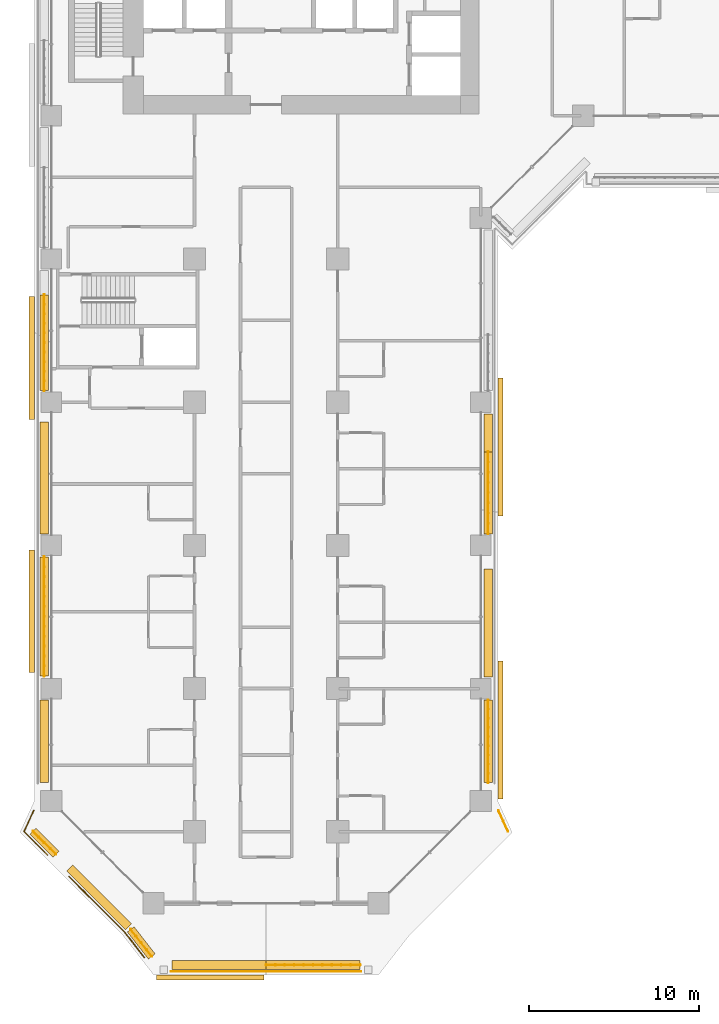
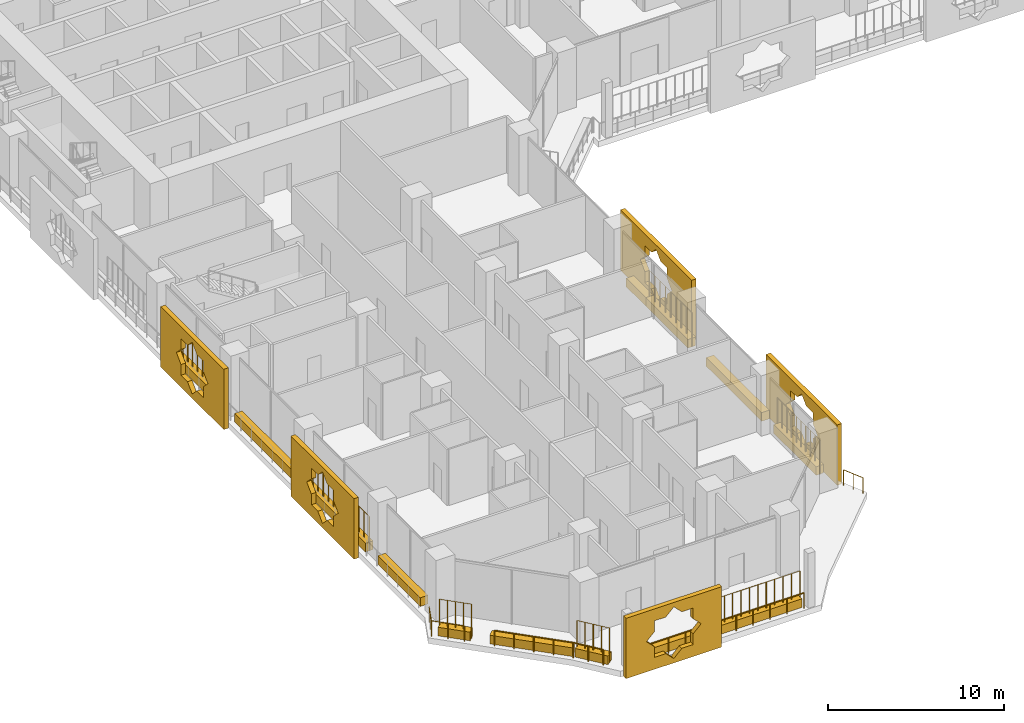
# One storey, part 22 of 29: 18 coverings, 11 railings.
"""IFC4 building model written with IfcOpenShell, lengths in metres."""

from ifc_helpers import new_model, si_unit, direction, frame, origin, origin_2d, place, context, subcontext, project, spatial, polyline, rectangle, circle, outline, extrude, material, material_profile, profile_set, type_object, element, save


model = new_model("IFC4")

# Units and contexts
model_context = context("Model", 3, precision=1e-05, world=origin(), true_north=direction((0.0, 1.0)))
body_context = subcontext(model_context, "Body", "Model", "MODEL_VIEW")
ifc_project = project(units=[si_unit("LENGTHUNIT", "METRE"), si_unit("AREAUNIT", "SQUARE_METRE"), si_unit("VOLUMEUNIT", "CUBIC_METRE"), si_unit("PLANEANGLEUNIT", "RADIAN"), si_unit("MASSUNIT", "GRAM", prefix="KILO")], contexts=[model_context])

# Site, building, storey
site_placement = place(None, origin())
site = spatial("IfcSite", under=ifc_project, at=site_placement, CompositionType="ELEMENT")
building_placement = place(site_placement, origin())
building = spatial("IfcBuilding", under=site, at=building_placement, Name="Kawkab Arch Medical Tower", CompositionType="ELEMENT")
storey_placement = place(building_placement, frame((0.0, 0.0, 60.199951171875)))
storey = spatial("IfcBuildingStorey", under=building, at=storey_placement, Name="L13", CompositionType="ELEMENT", Elevation=60.199951171875)

# Railings
ifc_material_1 = material(Name="Bronze anodised aluminium guard", Category="aluminium")
railing_type_1 = type_object("IfcRailingType", Name="Loggia and terrace guard 1100", PredefinedType="GUARDRAIL", material=ifc_material_1)
railing_1_placement = place(storey_placement, frame((18.169921875, -75.39990234375, 0.0)))
element("IfcRailing", 1, at=railing_1_placement, inside=storey, type_object=railing_type_1, Name="Guard L13.LOG-01.1.1", PredefinedType="GUARDRAIL", context=body_context, shape_type="SweptSolid", body=[
    extrude(circle(Radius=0.02392578125, at=origin_2d()), frame((0.0, 0.0, 1.076171875), z_axis=(-1.0, 0.0, 0.0), x_axis=(0.0, -1.0, 0.0)), (0.0, 0.0, 1.0), 11.139892578125),
    extrude(circle(Radius=0.02099609375, at=origin_2d()), origin(), (0.0, 0.0, 1.0), 1.052001953125),
    extrude(circle(Radius=0.02099609375, at=origin_2d()), frame((-1.114013671875, 0.0, 0.0)), (0.0, 0.0, 1.0), 1.052001953125),
    extrude(circle(Radius=0.02099609375, at=origin_2d()), frame((-2.22802734375, 0.0, 0.0)), (0.0, 0.0, 1.0), 1.052001953125),
    extrude(circle(Radius=0.02099609375, at=origin_2d()), frame((-3.342041015625, 0.0, 0.0)), (0.0, 0.0, 1.0), 1.052001953125),
    extrude(circle(Radius=0.02099609375, at=origin_2d()), frame((-4.4560546875, 0.0, 0.0)), (0.0, 0.0, 1.0), 1.052001953125),
    extrude(circle(Radius=0.02099609375, at=origin_2d()), frame((-5.56982421875, 0.0, 0.0)), (0.0, 0.0, 1.0), 1.052001953125),
    extrude(circle(Radius=0.02099609375, at=origin_2d()), frame((-6.683837890625, 0.0, 0.0)), (0.0, 0.0, 1.0), 1.052001953125),
    extrude(circle(Radius=0.02099609375, at=origin_2d()), frame((-7.7978515625, 0.0, 0.0)), (0.0, 0.0, 1.0), 1.052001953125),
    extrude(circle(Radius=0.02099609375, at=origin_2d()), frame((-8.911865234375, 0.0, 0.0)), (0.0, 0.0, 1.0), 1.052001953125),
    extrude(circle(Radius=0.02099609375, at=origin_2d()), frame((-10.02587890625, 0.0, 0.0)), (0.0, 0.0, 1.0), 1.052001953125),
    extrude(circle(Radius=0.02099609375, at=origin_2d()), frame((-11.139892578125, 0.0, 0.0)), (0.0, 0.0, 1.0), 1.052001953125),
])
railing_2_placement = place(storey_placement, frame((5.451904296875, -74.570068359375, 0.0)))
element("IfcRailing", 2, at=railing_2_placement, inside=storey, type_object=railing_type_1, Name="Guard L13.LOG-01.1.2", PredefinedType="GUARDRAIL", context=body_context, shape_type="SweptSolid", body=[
    extrude(circle(Radius=0.02392578125, at=origin_2d()), frame((0.0, 0.0, 1.076171875), z_axis=(-0.614068078989, 0.789253061044, 0.0), x_axis=(-0.789253061044, -0.614068078989, 0.0)), (0.0, 0.0, 1.0), 1.856201171875),
    extrude(circle(Radius=0.02392578125, at=origin_2d()), frame((-1.139892578125, 1.465087890625, 1.076171875), z_axis=(-0.707106781187, 0.707106781187, 0.0), x_axis=(-0.707106781187, -0.707106781187, 0.0)), (0.0, 0.0, 1.0), 4.641357421875),
    extrude(circle(Radius=0.02099609375, at=origin_2d()), origin(), (0.0, 0.0, 1.0), 1.052001953125),
    extrude(circle(Radius=0.02099609375, at=origin_2d()), frame((-0.56982421875, 0.732421875, 0.0)), (0.0, 0.0, 1.0), 1.052001953125),
    extrude(circle(Radius=0.02099609375, at=origin_2d()), frame((-1.139892578125, 1.465087890625, 0.0)), (0.0, 0.0, 1.0), 1.052001953125),
    extrude(circle(Radius=0.02099609375, at=origin_2d()), frame((-1.96044921875, 2.28564453125, 0.0)), (0.0, 0.0, 1.0), 1.052001953125),
    extrude(circle(Radius=0.02099609375, at=origin_2d()), frame((-2.78076171875, 3.10595703125, 0.0)), (0.0, 0.0, 1.0), 1.052001953125),
    extrude(circle(Radius=0.02099609375, at=origin_2d()), frame((-3.601318359375, 3.926513671875, 0.0)), (0.0, 0.0, 1.0), 1.052001953125),
    extrude(circle(Radius=0.02099609375, at=origin_2d()), frame((-4.421875, 4.7470703125, 0.0)), (0.0, 0.0, 1.0), 1.052001953125),
])
railing_3_placement = place(storey_placement, frame((-0.222900390625, -68.570068359375, 0.0)))
element("IfcRailing", 3, at=railing_3_placement, inside=storey, type_object=railing_type_1, Name="Guard L13.LOG-01.1.3", PredefinedType="GUARDRAIL", context=body_context, shape_type="SweptSolid", body=[
    extrude(circle(Radius=0.02392578125, at=origin_2d()), frame((0.0, 0.0, 1.076171875), z_axis=(-0.707106781187, 0.707106781187, 0.0), x_axis=(-0.707106781187, -0.707106781187, 0.0)), (0.0, 0.0, 1.0), 1.944580078125),
    extrude(circle(Radius=0.02392578125, at=origin_2d()), frame((-1.375, 1.375, 1.076171875), z_axis=(0.414420337807, 0.910085591366, 0.0), x_axis=(-0.910085591366, 0.414420337807, 0.0)), (0.0, 0.0, 1.0), 1.370361328125),
    extrude(circle(Radius=0.02099609375, at=origin_2d()), origin(), (0.0, 0.0, 1.0), 1.052001953125),
    extrude(circle(Radius=0.02099609375, at=origin_2d()), frame((-0.6875, 0.6875, 0.0)), (0.0, 0.0, 1.0), 1.052001953125),
    extrude(circle(Radius=0.02099609375, at=origin_2d()), frame((-1.375, 1.375, 0.0)), (0.0, 0.0, 1.0), 1.052001953125),
    extrude(circle(Radius=0.02099609375, at=origin_2d()), frame((-1.091064453125, 1.99853515625, 0.0)), (0.0, 0.0, 1.0), 1.052001953125),
    extrude(circle(Radius=0.02099609375, at=origin_2d()), frame((-0.80712890625, 2.6220703125, 0.0)), (0.0, 0.0, 1.0), 1.052001953125),
])
railing_4_placement = place(storey_placement, frame((26.22998046875, -65.947998046875, 0.0)))
element("IfcRailing", 4, at=railing_4_placement, inside=storey, type_object=railing_type_1, Name="Guard L13.LOG-01.1.5", PredefinedType="GUARDRAIL", context=body_context, shape_type="SweptSolid", body=[
    extrude(circle(Radius=0.02392578125, at=origin_2d()), frame((0.0, 0.0, 1.076171875), z_axis=(0.414567890698, -0.910018386629, 0.0), x_axis=(0.910018386629, 0.414567890698, 0.0)), (0.0, 0.0, 1.0), 1.370361328125),
    extrude(circle(Radius=0.02099609375, at=origin_2d()), origin(), (0.0, 0.0, 1.0), 1.052001953125),
    extrude(circle(Radius=0.02099609375, at=origin_2d()), frame((0.2841796875, -0.62353515625, 0.0)), (0.0, 0.0, 1.0), 1.052001953125),
    extrude(circle(Radius=0.02099609375, at=origin_2d()), frame((0.568115234375, -1.2470703125, 0.0)), (0.0, 0.0, 1.0), 1.052001953125),
])

# Coverings
ifc_material_2 = material(Name="Bronze anodised aluminium mashrabiya panel, eight-point star pattern", Category="aluminium")
ifc_material_profile_1 = material_profile(ifc_material_2, outline(polyline([(-3.14990234375, -2.10009765625), (3.14990234375, -2.10009765625), (3.14990234375, 2.10009765625), (-3.14990234375, 2.10009765625), (-3.14990234375, -2.10009765625)]), holes=[polyline([(1.800048828125, 0.0), (1.272705078125, 0.527099609375), (1.272705078125, 1.272705078125), (0.527099609375, 1.272705078125), (0.0, 1.800048828125), (-0.527099609375, 1.272705078125), (-1.272705078125, 1.272705078125), (-1.272705078125, 0.527099609375), (-1.800048828125, 0.0), (-1.272705078125, -0.527099609375), (-1.272705078125, -1.272705078125), (-0.527099609375, -1.272705078125), (0.0, -1.800048828125), (0.527099609375, -1.272705078125), (1.272705078125, -1.272705078125), (1.272705078125, -0.527099609375), (1.800048828125, 0.0)])]), Name="Mashrabiya panel 6300x4200")
ifc_profile_set_1 = profile_set([ifc_material_profile_1], Name="Bronze anodised aluminium mashrabiya panel, eight-point star pattern")
covering_type_1 = type_object("IfcCoveringType", Name="Mashrabiya panel 6300 x 4200", PredefinedType="USERDEFINED", material=ifc_profile_set_1)
covering_1_placement = place(storey_placement, frame((9.322509765625, -75.60009765625, 1.699951171875), z_axis=(0.0, -1.0, 0.0), x_axis=(1.0, 0.0, 0.0)))
element("IfcCovering", 5, at=covering_1_placement, inside=storey, type_object=covering_type_1, Name="Mashrabiya panel L13.LOG-01-01.1", ObjectType="SCREEN", PredefinedType="USERDEFINED", context=body_context, shape_type="SweptSolid", body=[
    extrude(outline(polyline([(-3.14990234375, -2.10009765625), (3.14990234375, -2.10009765625), (3.14990234375, 2.10009765625), (-3.14990234375, 2.10009765625), (-3.14990234375, -2.10009765625)]), holes=[polyline([(1.800048828125, 0.0), (1.272705078125, 0.527099609375), (1.272705078125, 1.272705078125), (0.527099609375, 1.272705078125), (0.0, 1.800048828125), (-0.527099609375, 1.272705078125), (-1.272705078125, 1.272705078125), (-1.272705078125, 0.527099609375), (-1.800048828125, 0.0), (-1.272705078125, -0.527099609375), (-1.272705078125, -1.272705078125), (-0.527099609375, -1.272705078125), (0.0, -1.800048828125), (0.527099609375, -1.272705078125), (1.272705078125, -1.272705078125), (1.272705078125, -0.527099609375), (1.800048828125, 0.0)])]), origin(), (0.0, 0.0, 1.0), 0.2998046875),
])
ifc_material_3 = material(Name="Bronze anodised aluminium mashrabiya panel, eight-point star pattern", Category="aluminium")
ifc_material_profile_2 = material_profile(ifc_material_3, outline(polyline([(-3.60009765625, -2.10009765625), (3.60009765625, -2.10009765625), (3.60009765625, 2.10009765625), (-3.60009765625, 2.10009765625), (-3.60009765625, -2.10009765625)]), holes=[polyline([(1.800048828125, 0.0), (1.272705078125, 0.527099609375), (1.272705078125, 1.272705078125), (0.527099609375, 1.272705078125), (0.0, 1.800048828125), (-0.527099609375, 1.272705078125), (-1.272705078125, 1.272705078125), (-1.272705078125, 0.527099609375), (-1.800048828125, 0.0), (-1.272705078125, -0.527099609375), (-1.272705078125, -1.272705078125), (-0.527099609375, -1.272705078125), (0.0, -1.800048828125), (0.527099609375, -1.272705078125), (1.272705078125, -1.272705078125), (1.272705078125, -0.527099609375), (1.800048828125, 0.0)])]), Name="Mashrabiya panel 7200x4200")
ifc_profile_set_2 = profile_set([ifc_material_profile_2], Name="Bronze anodised aluminium mashrabiya panel, eight-point star pattern")
covering_type_2 = type_object("IfcCoveringType", Name="Mashrabiya panel 7200 x 4200", PredefinedType="USERDEFINED", material=ifc_profile_set_2)
for number, where, z_axis, x_axis, name in (
    (6, (-1.0, -54.263916015625, 1.699951171875), (-1.0, 0.0, 0.0), (0.0, -1.0, 0.0), "Mashrabiya panel L13.LOG-01-01.2"),
    (7, (-1.0, -39.412841796875, 1.699951171875), (-1.0, 0.0, 0.0), (0.0, -1.0, 0.0), "Mashrabiya panel L13.LOG-01-01.3"),
):
    element("IfcCovering", number, at=place(storey_placement, frame(where, z_axis=z_axis, x_axis=x_axis)), inside=storey, type_object=covering_type_2, Name=name, ObjectType="SCREEN", PredefinedType="USERDEFINED", context=body_context, shape_type="SweptSolid", body=[
        extrude(outline(polyline([(-3.60009765625, -2.10009765625), (3.60009765625, -2.10009765625), (3.60009765625, 2.10009765625), (-3.60009765625, 2.10009765625), (-3.60009765625, -2.10009765625)]), holes=[polyline([(1.800048828125, 0.0), (1.272705078125, 0.527099609375), (1.272705078125, 1.272705078125), (0.527099609375, 1.272705078125), (0.0, 1.800048828125), (-0.527099609375, 1.272705078125), (-1.272705078125, 1.272705078125), (-1.272705078125, 0.527099609375), (-1.800048828125, 0.0), (-1.272705078125, -0.527099609375), (-1.272705078125, -1.272705078125), (-0.527099609375, -1.272705078125), (0.0, -1.800048828125), (0.527099609375, -1.272705078125), (1.272705078125, -1.272705078125), (1.272705078125, -0.527099609375), (1.800048828125, 0.0)])]), origin(), (0.0, 0.0, 1.0), 0.300048828125),
    ])
ifc_material_4 = material(Name="Bronze anodised aluminium mashrabiya panel, eight-point star pattern", Category="aluminium")
ifc_material_profile_3 = material_profile(ifc_material_4, outline(polyline([(-4.050048828125, -2.10009765625), (4.050048828125, -2.10009765625), (4.050048828125, 2.10009765625), (-4.050048828125, 2.10009765625), (-4.050048828125, -2.10009765625)]), holes=[polyline([(1.800048828125, 0.0), (1.272705078125, 0.527099609375), (1.272705078125, 1.272705078125), (0.527099609375, 1.272705078125), (0.0, 1.800048828125), (-0.527099609375, 1.272705078125), (-1.272705078125, 1.272705078125), (-1.272705078125, 0.527099609375), (-1.800048828125, 0.0), (-1.272705078125, -0.527099609375), (-1.272705078125, -1.272705078125), (-0.527099609375, -1.272705078125), (0.0, -1.800048828125), (0.527099609375, -1.272705078125), (1.272705078125, -1.272705078125), (1.272705078125, -0.527099609375), (1.800048828125, 0.0)])]), Name="Mashrabiya panel 8100x4200")
ifc_profile_set_3 = profile_set([ifc_material_profile_3], Name="Bronze anodised aluminium mashrabiya panel, eight-point star pattern")
covering_type_3 = type_object("IfcCoveringType", Name="Mashrabiya panel 8100 x 4200", PredefinedType="USERDEFINED", material=ifc_profile_set_3)
for number, where, z_axis, x_axis, name in (
    (8, (26.199951171875, -44.639892578125, 1.699951171875), (1.0, 0.0, 0.0), (0.0, 1.0, 0.0), "Mashrabiya panel L13.LOG-01-01.14"),
    (9, (26.199951171875, -61.229736328125, 1.699951171875), (1.0, 0.0, 0.0), (0.0, 1.0, 0.0), "Mashrabiya panel L13.LOG-01-01.15"),
):
    element("IfcCovering", number, at=place(storey_placement, frame(where, z_axis=z_axis, x_axis=x_axis)), inside=storey, type_object=covering_type_3, Name=name, ObjectType="SCREEN", PredefinedType="USERDEFINED", context=body_context, shape_type="SweptSolid", body=[
        extrude(outline(polyline([(-4.050048828125, -2.10009765625), (4.050048828125, -2.10009765625), (4.050048828125, 2.10009765625), (-4.050048828125, 2.10009765625), (-4.050048828125, -2.10009765625)]), holes=[polyline([(1.800048828125, 0.0), (1.272705078125, 0.527099609375), (1.272705078125, 1.272705078125), (0.527099609375, 1.272705078125), (0.0, 1.800048828125), (-0.527099609375, 1.272705078125), (-1.272705078125, 1.272705078125), (-1.272705078125, 0.527099609375), (-1.800048828125, 0.0), (-1.272705078125, -0.527099609375), (-1.272705078125, -1.272705078125), (-0.527099609375, -1.272705078125), (0.0, -1.800048828125), (0.527099609375, -1.272705078125), (1.272705078125, -1.272705078125), (1.272705078125, -0.527099609375), (1.800048828125, 0.0)])]), origin(), (0.0, 0.0, 1.0), 0.300048828125),
    ])
ifc_material_5 = material(Name="Planting soil in a precast trough", Category="concrete")
ifc_material_profile_4 = material_profile(ifc_material_5, rectangle(XDim=0.5, YDim=0.60009765625, at=origin_2d()), Name="Trough 500x600")
ifc_profile_set_4 = profile_set([ifc_material_profile_4], Name="Planting soil in a precast trough")
covering_type_4 = type_object("IfcCoveringType", Name="Planter trough 500 x 600", PredefinedType="USERDEFINED", material=ifc_profile_set_4)
for number, where, z_axis, x_axis, name in (
    (10, (18.1201171875, -75.02001953125, 0.300048828125), (-1.0, 0.0, 0.0), (0.0, -1.0, 0.0), "Planter L13.LOG-01-01.1"),
    (11, (12.60009765625, -75.02001953125, 0.300048828125), (-1.0, 0.0, 0.0), (0.0, -1.0, 0.0), "Planter L13.LOG-01-01.2"),
):
    element("IfcCovering", number, at=place(storey_placement, frame(where, z_axis=z_axis, x_axis=x_axis)), inside=storey, type_object=covering_type_4, Name=name, ObjectType="PLANTER", PredefinedType="USERDEFINED", context=body_context, shape_type="SweptSolid", body=[
        extrude(rectangle(XDim=0.5, YDim=0.60009765625, at=origin_2d()), origin(), (0.0, 0.0, 1.0), 5.52001953125),
    ])
covering_2_placement = place(storey_placement, frame((5.89501953125, -74.52001953125, 0.300048828125), z_axis=(-0.61420933359, 0.789143139444, 0.0), x_axis=(-0.789143139444, -0.61420933359, 0.0)))
element("IfcCovering", 12, at=covering_2_placement, inside=storey, type_object=covering_type_4, Name="Planter L13.LOG-01-01.3", ObjectType="PLANTER", PredefinedType="USERDEFINED", context=body_context, shape_type="SweptSolid", body=[
    extrude(rectangle(XDim=0.5, YDim=0.60009765625, at=origin_2d()), origin(), (0.0, 0.0, 1.0), 2.012451171875),
])
covering_3_placement = place(storey_placement, frame((4.527099609375, -72.782958984375, 0.300048828125), z_axis=(-0.707106781187, 0.707106781187, 0.0), x_axis=(-0.707106781187, -0.707106781187, 0.0)))
element("IfcCovering", 13, at=covering_3_placement, inside=storey, type_object=covering_type_4, Name="Planter L13.LOG-01-01.4", ObjectType="PLANTER", PredefinedType="USERDEFINED", context=body_context, shape_type="SweptSolid", body=[
    extrude(rectangle(XDim=0.5, YDim=0.60009765625, at=origin_2d()), origin(), (0.0, 0.0, 1.0), 4.874755859375),
])
covering_4_placement = place(storey_placement, frame((0.263916015625, -68.52001953125, 0.300048828125), z_axis=(-0.707106781187, 0.707106781187, 0.0), x_axis=(-0.707106781187, -0.707106781187, 0.0)))
element("IfcCovering", 14, at=covering_4_placement, inside=storey, type_object=covering_type_4, Name="Planter L13.LOG-01-01.5", ObjectType="PLANTER", PredefinedType="USERDEFINED", context=body_context, shape_type="SweptSolid", body=[
    extrude(rectangle(XDim=0.5, YDim=0.60009765625, at=origin_2d()), origin(), (0.0, 0.0, 1.0), 1.890625),
])
covering_5_placement = place(storey_placement, frame((-0.419921875, -64.320068359375, 0.300048828125), z_axis=(0.0, 1.0, 0.0), x_axis=(-1.0, 0.0, 0.0)))
element("IfcCovering", 15, at=covering_5_placement, inside=storey, type_object=covering_type_4, Name="Planter L13.LOG-01-01.6", ObjectType="PLANTER", PredefinedType="USERDEFINED", context=body_context, shape_type="SweptSolid", body=[
    extrude(rectangle(XDim=0.5, YDim=0.60009765625, at=origin_2d()), origin(), (0.0, 0.0, 1.0), 4.840087890625),
])
covering_6_placement = place(storey_placement, frame((-0.419921875, -58.069091796875, 0.300048828125), z_axis=(0.0, 1.0, 0.0), x_axis=(-1.0, 0.0, 0.0)))
element("IfcCovering", 16, at=covering_6_placement, inside=storey, type_object=covering_type_4, Name="Planter L13.LOG-01-01.7", ObjectType="PLANTER", PredefinedType="USERDEFINED", context=body_context, shape_type="SweptSolid", body=[
    extrude(rectangle(XDim=0.5, YDim=0.60009765625, at=origin_2d()), origin(), (0.0, 0.0, 1.0), 6.989013671875),
])
covering_7_placement = place(storey_placement, frame((-0.419921875, -49.719970703125, 0.300048828125), z_axis=(0.0, 1.0, 0.0), x_axis=(-1.0, 0.0, 0.0)))
element("IfcCovering", 17, at=covering_7_placement, inside=storey, type_object=covering_type_4, Name="Planter L13.LOG-01-01.8", ObjectType="PLANTER", PredefinedType="USERDEFINED", context=body_context, shape_type="SweptSolid", body=[
    extrude(rectangle(XDim=0.5, YDim=0.60009765625, at=origin_2d()), origin(), (0.0, 0.0, 1.0), 6.56396484375),
])
covering_8_placement = place(storey_placement, frame((-0.419921875, -41.320068359375, 0.300048828125), z_axis=(0.0, 1.0, 0.0), x_axis=(-1.0, 0.0, 0.0)))
element("IfcCovering", 18, at=covering_8_placement, inside=storey, type_object=covering_type_4, Name="Planter L13.LOG-01-01.9", ObjectType="PLANTER", PredefinedType="USERDEFINED", context=body_context, shape_type="SweptSolid", body=[
    extrude(rectangle(XDim=0.5, YDim=0.60009765625, at=origin_2d()), origin(), (0.0, 0.0, 1.0), 5.6201171875),
])
covering_9_placement = place(storey_placement, frame((25.6201171875, -42.679931640625, 0.300048828125), z_axis=(0.0, -1.0, 0.0), x_axis=(1.0, 0.0, 0.0)))
element("IfcCovering", 19, at=covering_9_placement, inside=storey, type_object=covering_type_4, Name="Planter L13.LOG-01-01.46", ObjectType="PLANTER", PredefinedType="USERDEFINED", context=body_context, shape_type="SweptSolid", body=[
    extrude(rectangle(XDim=0.5, YDim=0.60009765625, at=origin_2d()), origin(), (0.0, 0.0, 1.0), 2.240966796875),
])
covering_10_placement = place(storey_placement, frame((25.6201171875, -44.9208984375, 0.300048828125), z_axis=(0.0, -1.0, 0.0), x_axis=(1.0, 0.0, 0.0)))
element("IfcCovering", 20, at=covering_10_placement, inside=storey, type_object=covering_type_4, Name="Planter L13.LOG-01-01.47", ObjectType="PLANTER", PredefinedType="USERDEFINED", context=body_context, shape_type="SweptSolid", body=[
    extrude(rectangle(XDim=0.5, YDim=0.60009765625, at=origin_2d()), origin(), (0.0, 0.0, 1.0), 4.799072265625),
])
covering_11_placement = place(storey_placement, frame((25.6201171875, -51.7890625, 0.300048828125), z_axis=(0.0, -1.0, 0.0), x_axis=(1.0, 0.0, 0.0)))
element("IfcCovering", 21, at=covering_11_placement, inside=storey, type_object=covering_type_4, Name="Planter L13.LOG-01-01.48", ObjectType="PLANTER", PredefinedType="USERDEFINED", context=body_context, shape_type="SweptSolid", body=[
    extrude(rectangle(XDim=0.5, YDim=0.60009765625, at=origin_2d()), origin(), (0.0, 0.0, 1.0), 6.3310546875),
])
covering_12_placement = place(storey_placement, frame((25.6201171875, -59.47998046875, 0.300048828125), z_axis=(0.0, -1.0, 0.0), x_axis=(1.0, 0.0, 0.0)))
element("IfcCovering", 22, at=covering_12_placement, inside=storey, type_object=covering_type_4, Name="Planter L13.LOG-01-01.49", ObjectType="PLANTER", PredefinedType="USERDEFINED", context=body_context, shape_type="SweptSolid", body=[
    extrude(rectangle(XDim=0.5, YDim=0.60009765625, at=origin_2d()), origin(), (0.0, 0.0, 1.0), 4.840087890625),
])

# Railings
ifc_material_6 = material(Name="Bronze anodised aluminium trellis for climbing plants", Category="aluminium")
railing_type_2 = type_object("IfcRailingType", Name="Planting trellis 2400", PredefinedType="USERDEFINED", material=ifc_material_6)
railing_5_placement = place(storey_placement, frame((18.1201171875, -75.02001953125, 0.0)))
element("IfcRailing", 23, at=railing_5_placement, inside=storey, type_object=railing_type_2, Name="Planting trellis L13.LOG-01-01.1", ObjectType="TRELLIS", PredefinedType="USERDEFINED", context=body_context, shape_type="SweptSolid", body=[
    extrude(circle(Radius=0.01513671875, at=origin_2d()), frame((0.0, 0.0, 2.384765625), z_axis=(-1.0, 0.0, 0.0), x_axis=(0.0, -1.0, 0.0)), (0.0, 0.0, 1.0), 5.52001953125),
    extrude(circle(Radius=0.030029296875, at=origin_2d()), origin(), (0.0, 0.0, 1.0), 2.369873046875),
    extrude(circle(Radius=0.030029296875, at=origin_2d()), frame((-0.552001953125, 0.0, 0.0)), (0.0, 0.0, 1.0), 2.369873046875),
    extrude(circle(Radius=0.030029296875, at=origin_2d()), frame((-1.10400390625, 0.0, 0.0)), (0.0, 0.0, 1.0), 2.369873046875),
    extrude(circle(Radius=0.030029296875, at=origin_2d()), frame((-1.656005859375, 0.0, 0.0)), (0.0, 0.0, 1.0), 2.369873046875),
    extrude(circle(Radius=0.030029296875, at=origin_2d()), frame((-2.2080078125, 0.0, 0.0)), (0.0, 0.0, 1.0), 2.369873046875),
    extrude(circle(Radius=0.030029296875, at=origin_2d()), frame((-2.760009765625, 0.0, 0.0)), (0.0, 0.0, 1.0), 2.369873046875),
    extrude(circle(Radius=0.030029296875, at=origin_2d()), frame((-3.31201171875, 0.0, 0.0)), (0.0, 0.0, 1.0), 2.369873046875),
    extrude(circle(Radius=0.030029296875, at=origin_2d()), frame((-3.864013671875, 0.0, 0.0)), (0.0, 0.0, 1.0), 2.369873046875),
    extrude(circle(Radius=0.030029296875, at=origin_2d()), frame((-4.416015625, 0.0, 0.0)), (0.0, 0.0, 1.0), 2.369873046875),
    extrude(circle(Radius=0.030029296875, at=origin_2d()), frame((-4.968017578125, 0.0, 0.0)), (0.0, 0.0, 1.0), 2.369873046875),
    extrude(circle(Radius=0.030029296875, at=origin_2d()), frame((-5.52001953125, 0.0, 0.0)), (0.0, 0.0, 1.0), 2.369873046875),
])
railing_6_placement = place(storey_placement, frame((5.89501953125, -74.52001953125, 0.0)))
element("IfcRailing", 24, at=railing_6_placement, inside=storey, type_object=railing_type_2, Name="Planting trellis L13.LOG-01-01.3", ObjectType="TRELLIS", PredefinedType="USERDEFINED", context=body_context, shape_type="SweptSolid", body=[
    extrude(circle(Radius=0.01513671875, at=origin_2d()), frame((0.0, 0.0, 2.384765625), z_axis=(-0.61420933359, 0.789143139444, 0.0), x_axis=(-0.789143139444, -0.61420933359, 0.0)), (0.0, 0.0, 1.0), 2.012451171875),
    extrude(circle(Radius=0.030029296875, at=origin_2d()), origin(), (0.0, 0.0, 1.0), 2.369873046875),
    extrude(circle(Radius=0.030029296875, at=origin_2d()), frame((-0.30908203125, 0.39697265625, 0.0)), (0.0, 0.0, 1.0), 2.369873046875),
    extrude(circle(Radius=0.030029296875, at=origin_2d()), frame((-0.6181640625, 0.7939453125, 0.0)), (0.0, 0.0, 1.0), 2.369873046875),
    extrude(circle(Radius=0.030029296875, at=origin_2d()), frame((-0.927001953125, 1.191162109375, 0.0)), (0.0, 0.0, 1.0), 2.369873046875),
    extrude(circle(Radius=0.030029296875, at=origin_2d()), frame((-1.236083984375, 1.588134765625, 0.0)), (0.0, 0.0, 1.0), 2.369873046875),
])
railing_7_placement = place(storey_placement, frame((0.263916015625, -68.52001953125, 0.0)))
element("IfcRailing", 25, at=railing_7_placement, inside=storey, type_object=railing_type_2, Name="Planting trellis L13.LOG-01-01.5", ObjectType="TRELLIS", PredefinedType="USERDEFINED", context=body_context, shape_type="SweptSolid", body=[
    extrude(circle(Radius=0.01513671875, at=origin_2d()), frame((0.0, 0.0, 2.384765625), z_axis=(-0.707106781187, 0.707106781187, 0.0), x_axis=(-0.707106781187, -0.707106781187, 0.0)), (0.0, 0.0, 1.0), 1.890625),
    extrude(circle(Radius=0.030029296875, at=origin_2d()), origin(), (0.0, 0.0, 1.0), 2.369873046875),
    extrude(circle(Radius=0.030029296875, at=origin_2d()), frame((-0.334228515625, 0.334228515625, 0.0)), (0.0, 0.0, 1.0), 2.369873046875),
    extrude(circle(Radius=0.030029296875, at=origin_2d()), frame((-0.66845703125, 0.66845703125, 0.0)), (0.0, 0.0, 1.0), 2.369873046875),
    extrude(circle(Radius=0.030029296875, at=origin_2d()), frame((-1.002685546875, 1.002685546875, 0.0)), (0.0, 0.0, 1.0), 2.369873046875),
    extrude(circle(Radius=0.030029296875, at=origin_2d()), frame((-1.3369140625, 1.3369140625, 0.0)), (0.0, 0.0, 1.0), 2.369873046875),
])
railing_8_placement = place(storey_placement, frame((-0.419921875, -58.069091796875, 0.0)))
element("IfcRailing", 26, at=railing_8_placement, inside=storey, type_object=railing_type_2, Name="Planting trellis L13.LOG-01-01.7", ObjectType="TRELLIS", PredefinedType="USERDEFINED", context=body_context, shape_type="SweptSolid", body=[
    extrude(circle(Radius=0.01513671875, at=origin_2d()), frame((0.0, 0.0, 2.384765625), z_axis=(0.0, 1.0, 0.0), x_axis=(-1.0, 0.0, 0.0)), (0.0, 0.0, 1.0), 6.989013671875),
    extrude(circle(Radius=0.030029296875, at=origin_2d()), origin(), (0.0, 0.0, 1.0), 2.369873046875),
    extrude(circle(Radius=0.030029296875, at=origin_2d()), frame((0.0, 0.58251953125, 0.0)), (0.0, 0.0, 1.0), 2.369873046875),
    extrude(circle(Radius=0.030029296875, at=origin_2d()), frame((0.0, 1.164794921875, 0.0)), (0.0, 0.0, 1.0), 2.369873046875),
    extrude(circle(Radius=0.030029296875, at=origin_2d()), frame((0.0, 1.747314453125, 0.0)), (0.0, 0.0, 1.0), 2.369873046875),
    extrude(circle(Radius=0.030029296875, at=origin_2d()), frame((0.0, 2.32958984375, 0.0)), (0.0, 0.0, 1.0), 2.369873046875),
    extrude(circle(Radius=0.030029296875, at=origin_2d()), frame((0.0, 2.912109375, 0.0)), (0.0, 0.0, 1.0), 2.369873046875),
    extrude(circle(Radius=0.030029296875, at=origin_2d()), frame((0.0, 3.49462890625, 0.0)), (0.0, 0.0, 1.0), 2.369873046875),
    extrude(circle(Radius=0.030029296875, at=origin_2d()), frame((0.0, 4.076904296875, 0.0)), (0.0, 0.0, 1.0), 2.369873046875),
    extrude(circle(Radius=0.030029296875, at=origin_2d()), frame((0.0, 4.659423828125, 0.0)), (0.0, 0.0, 1.0), 2.369873046875),
    extrude(circle(Radius=0.030029296875, at=origin_2d()), frame((0.0, 5.24169921875, 0.0)), (0.0, 0.0, 1.0), 2.369873046875),
    extrude(circle(Radius=0.030029296875, at=origin_2d()), frame((0.0, 5.82421875, 0.0)), (0.0, 0.0, 1.0), 2.369873046875),
    extrude(circle(Radius=0.030029296875, at=origin_2d()), frame((0.0, 6.406494140625, 0.0)), (0.0, 0.0, 1.0), 2.369873046875),
    extrude(circle(Radius=0.030029296875, at=origin_2d()), frame((0.0, 6.989013671875, 0.0)), (0.0, 0.0, 1.0), 2.369873046875),
])
railing_9_placement = place(storey_placement, frame((-0.419921875, -41.320068359375, 0.0)))
element("IfcRailing", 27, at=railing_9_placement, inside=storey, type_object=railing_type_2, Name="Planting trellis L13.LOG-01-01.9", ObjectType="TRELLIS", PredefinedType="USERDEFINED", context=body_context, shape_type="SweptSolid", body=[
    extrude(circle(Radius=0.01513671875, at=origin_2d()), frame((0.0, 0.0, 2.384765625), z_axis=(0.0, 1.0, 0.0), x_axis=(-1.0, 0.0, 0.0)), (0.0, 0.0, 1.0), 5.6201171875),
    extrude(circle(Radius=0.030029296875, at=origin_2d()), origin(), (0.0, 0.0, 1.0), 2.369873046875),
    extrude(circle(Radius=0.030029296875, at=origin_2d()), frame((0.0, 0.56201171875, 0.0)), (0.0, 0.0, 1.0), 2.369873046875),
    extrude(circle(Radius=0.030029296875, at=origin_2d()), frame((0.0, 1.1240234375, 0.0)), (0.0, 0.0, 1.0), 2.369873046875),
    extrude(circle(Radius=0.030029296875, at=origin_2d()), frame((0.0, 1.68603515625, 0.0)), (0.0, 0.0, 1.0), 2.369873046875),
    extrude(circle(Radius=0.030029296875, at=origin_2d()), frame((0.0, 2.248046875, 0.0)), (0.0, 0.0, 1.0), 2.369873046875),
    extrude(circle(Radius=0.030029296875, at=origin_2d()), frame((0.0, 2.81005859375, 0.0)), (0.0, 0.0, 1.0), 2.369873046875),
    extrude(circle(Radius=0.030029296875, at=origin_2d()), frame((0.0, 3.3720703125, 0.0)), (0.0, 0.0, 1.0), 2.369873046875),
    extrude(circle(Radius=0.030029296875, at=origin_2d()), frame((0.0, 3.93408203125, 0.0)), (0.0, 0.0, 1.0), 2.369873046875),
    extrude(circle(Radius=0.030029296875, at=origin_2d()), frame((0.0, 4.49609375, 0.0)), (0.0, 0.0, 1.0), 2.369873046875),
    extrude(circle(Radius=0.030029296875, at=origin_2d()), frame((0.0, 5.05810546875, 0.0)), (0.0, 0.0, 1.0), 2.369873046875),
    extrude(circle(Radius=0.030029296875, at=origin_2d()), frame((0.0, 5.6201171875, 0.0)), (0.0, 0.0, 1.0), 2.369873046875),
])
railing_10_placement = place(storey_placement, frame((25.6201171875, -44.9208984375, 0.0)))
element("IfcRailing", 28, at=railing_10_placement, inside=storey, type_object=railing_type_2, Name="Planting trellis L13.LOG-01-01.47", ObjectType="TRELLIS", PredefinedType="USERDEFINED", context=body_context, shape_type="SweptSolid", body=[
    extrude(circle(Radius=0.01513671875, at=origin_2d()), frame((0.0, 0.0, 2.384765625), z_axis=(0.0, -1.0, 0.0), x_axis=(1.0, 0.0, 0.0)), (0.0, 0.0, 1.0), 4.799072265625),
    extrude(circle(Radius=0.030029296875, at=origin_2d()), origin(), (0.0, 0.0, 1.0), 2.369873046875),
    extrude(circle(Radius=0.030029296875, at=origin_2d()), frame((0.0, -0.599853515625, 0.0)), (0.0, 0.0, 1.0), 2.369873046875),
    extrude(circle(Radius=0.030029296875, at=origin_2d()), frame((0.0, -1.19970703125, 0.0)), (0.0, 0.0, 1.0), 2.369873046875),
    extrude(circle(Radius=0.030029296875, at=origin_2d()), frame((0.0, -1.799560546875, 0.0)), (0.0, 0.0, 1.0), 2.369873046875),
    extrude(circle(Radius=0.030029296875, at=origin_2d()), frame((0.0, -2.3994140625, 0.0)), (0.0, 0.0, 1.0), 2.369873046875),
    extrude(circle(Radius=0.030029296875, at=origin_2d()), frame((0.0, -2.99951171875, 0.0)), (0.0, 0.0, 1.0), 2.369873046875),
    extrude(circle(Radius=0.030029296875, at=origin_2d()), frame((0.0, -3.599365234375, 0.0)), (0.0, 0.0, 1.0), 2.369873046875),
    extrude(circle(Radius=0.030029296875, at=origin_2d()), frame((0.0, -4.19921875, 0.0)), (0.0, 0.0, 1.0), 2.369873046875),
    extrude(circle(Radius=0.030029296875, at=origin_2d()), frame((0.0, -4.799072265625, 0.0)), (0.0, 0.0, 1.0), 2.369873046875),
])
railing_11_placement = place(storey_placement, frame((25.6201171875, -59.47998046875, 0.0)))
element("IfcRailing", 29, at=railing_11_placement, inside=storey, type_object=railing_type_2, Name="Planting trellis L13.LOG-01-01.49", ObjectType="TRELLIS", PredefinedType="USERDEFINED", context=body_context, shape_type="SweptSolid", body=[
    extrude(circle(Radius=0.01513671875, at=origin_2d()), frame((0.0, 0.0, 2.384765625), z_axis=(0.0, -1.0, 0.0), x_axis=(1.0, 0.0, 0.0)), (0.0, 0.0, 1.0), 4.840087890625),
    extrude(circle(Radius=0.030029296875, at=origin_2d()), origin(), (0.0, 0.0, 1.0), 2.369873046875),
    extrude(circle(Radius=0.030029296875, at=origin_2d()), frame((0.0, -0.537841796875, 0.0)), (0.0, 0.0, 1.0), 2.369873046875),
    extrude(circle(Radius=0.030029296875, at=origin_2d()), frame((0.0, -1.07568359375, 0.0)), (0.0, 0.0, 1.0), 2.369873046875),
    extrude(circle(Radius=0.030029296875, at=origin_2d()), frame((0.0, -1.61328125, 0.0)), (0.0, 0.0, 1.0), 2.369873046875),
    extrude(circle(Radius=0.030029296875, at=origin_2d()), frame((0.0, -2.151123046875, 0.0)), (0.0, 0.0, 1.0), 2.369873046875),
    extrude(circle(Radius=0.030029296875, at=origin_2d()), frame((0.0, -2.68896484375, 0.0)), (0.0, 0.0, 1.0), 2.369873046875),
    extrude(circle(Radius=0.030029296875, at=origin_2d()), frame((0.0, -3.226806640625, 0.0)), (0.0, 0.0, 1.0), 2.369873046875),
    extrude(circle(Radius=0.030029296875, at=origin_2d()), frame((0.0, -3.764404296875, 0.0)), (0.0, 0.0, 1.0), 2.369873046875),
    extrude(circle(Radius=0.030029296875, at=origin_2d()), frame((0.0, -4.30224609375, 0.0)), (0.0, 0.0, 1.0), 2.369873046875),
    extrude(circle(Radius=0.030029296875, at=origin_2d()), frame((0.0, -4.840087890625, 0.0)), (0.0, 0.0, 1.0), 2.369873046875),
])

save(model, "model.ifc")
